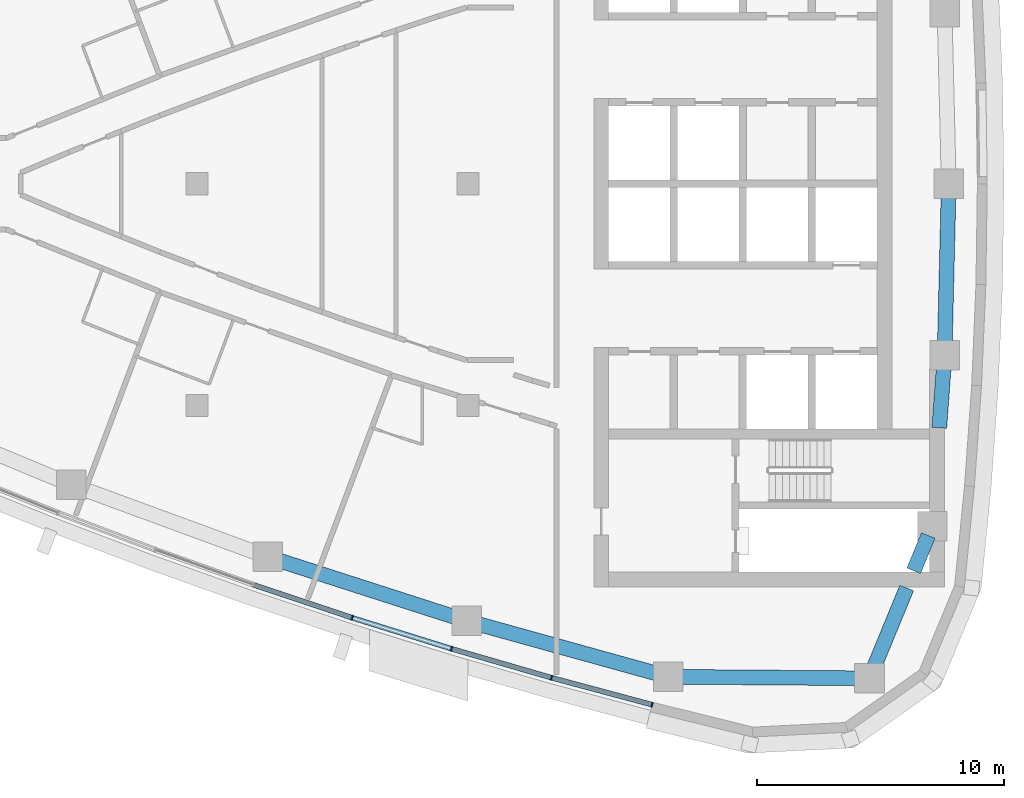
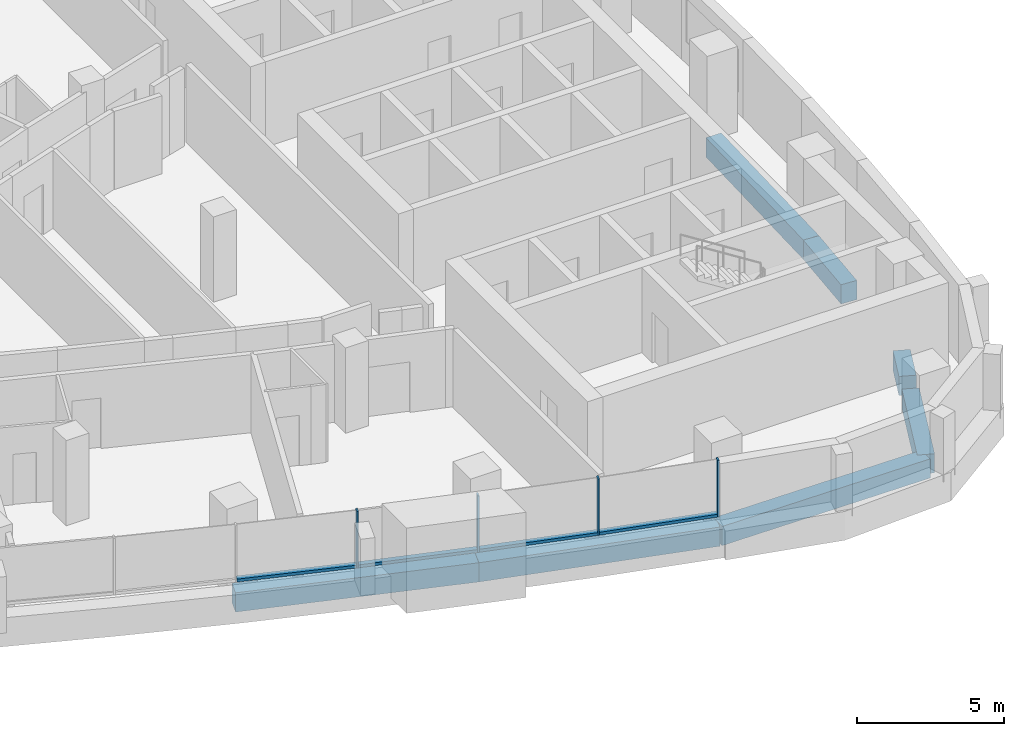
# One storey, part 4 of 15: 8 members, 7 beams, 2 elements without a shape of their own.
"""IFC4 building model written with IfcOpenShell, lengths in metres."""

from ifc_helpers import new_model, si_unit, direction, frame, origin, origin_2d, place, context, subcontext, project, spatial, rectangle, extrude, material, layer, layer_set, material_profile, profile_set, type_object, element, aggregate, save


model = new_model("IFC4")

# Units and contexts
model_context = context("Model", 3, precision=1e-05, world=origin(), true_north=direction((0.0, 1.0)))
body_context = subcontext(model_context, "Body", "Model", "MODEL_VIEW")
ifc_project = project(units=[si_unit("LENGTHUNIT", "METRE"), si_unit("AREAUNIT", "SQUARE_METRE"), si_unit("VOLUMEUNIT", "CUBIC_METRE"), si_unit("PLANEANGLEUNIT", "RADIAN"), si_unit("MASSUNIT", "GRAM", prefix="KILO")], contexts=[model_context])

# Site, building, storey
site_placement = place(None, origin())
site = spatial("IfcSite", under=ifc_project, at=site_placement, CompositionType="ELEMENT")
building_placement = place(site_placement, origin())
building = spatial("IfcBuilding", under=site, at=building_placement, Name="Ostrand Prow Hotel Tower", CompositionType="ELEMENT")
storey_placement = place(building_placement, frame((0.0, 0.0, 235.0)))
storey = spatial("IfcBuildingStorey", under=building, at=storey_placement, Name="L59", CompositionType="ELEMENT", Elevation=235.0)

# Beams
ifc_material_1 = material(Name="Concrete C50/60", Category="concrete")
ifc_material_profile_1 = material_profile(ifc_material_1, rectangle(XDim=0.60009765625, YDim=0.800048828125, at=origin_2d()), Name="RC 600x800")
ifc_profile_set_1 = profile_set([ifc_material_profile_1], Name="Concrete C50/60")
beam_type = type_object("IfcBeamType", Name="Edge beam 600x800 C50/60", PredefinedType="SPANDREL", material=ifc_profile_set_1)
for number, where, z_axis, x_axis, name in (
    (1, (36.8671875, -15.131591796875, -0.699951171875), (0.95193933362, -0.306286638798, 0.0), (0.306286638798, 0.95193933362, 0.0), "Edge beam S4-S5"),
    (2, (44.94677734375, -17.731201171875, -0.699951171875), (0.963625802813, -0.267255144297, 0.0), (0.267255144297, 0.963625802813, 0.0), "Edge beam S5-S6"),
):
    element("IfcBeam", number, at=place(storey_placement, frame(where, z_axis=z_axis, x_axis=x_axis)), inside=storey, type_object=beam_type, Name=name, PredefinedType="SPANDREL", context=body_context, shape_type="SweptSolid", body=[
        extrude(rectangle(XDim=0.60009765625, YDim=0.800048828125, at=origin_2d()), origin(), (0.0, 0.0, 1.0), 8.487548828125),
    ])
beam_1_placement = place(storey_placement, frame((53.12548828125, -19.99951171875, -0.699951171875), z_axis=(0.999970657582, -0.007660546678, 0.0), x_axis=(0.007660546678, 0.999970657582, 0.0)))
element("IfcBeam", 3, at=beam_1_placement, inside=storey, type_object=beam_type, Name="Edge beam S6-SE", PredefinedType="SPANDREL", context=body_context, shape_type="SweptSolid", body=[
    extrude(rectangle(XDim=0.60009765625, YDim=0.800048828125, at=origin_2d()), origin(), (0.0, 0.0, 1.0), 8.15869140625),
])
beam_2_placement = place(storey_placement, frame((61.283935546875, -20.06201171875, -0.699951171875), z_axis=(0.380777709221, 0.924666608114, 0.0), x_axis=(-0.924666608114, 0.380777709221, 0.0)))
element("IfcBeam", 4, at=beam_2_placement, inside=storey, type_object=beam_type, Name="Edge beam SE-B1", PredefinedType="SPANDREL", context=body_context, shape_type="SweptSolid", body=[
    extrude(rectangle(XDim=0.60009765625, YDim=0.800048828125, at=origin_2d()), origin(), (0.0, 0.0, 1.0), 3.96044921875),
])
beam_3_placement = place(storey_placement, frame((63.080078125, -15.699951171875, -0.699951171875), z_axis=(0.380773585759, 0.924668306145, 0.0), x_axis=(-0.924668306145, 0.380773585759, 0.0)))
element("IfcBeam", 5, at=beam_3_placement, inside=storey, type_object=beam_type, Name="Edge beam SE-B1", PredefinedType="SPANDREL", context=body_context, shape_type="SweptSolid", body=[
    extrude(rectangle(XDim=0.60009765625, YDim=0.800048828125, at=origin_2d()), origin(), (0.0, 0.0, 1.0), 1.549072265625),
])
beam_4_placement = place(storey_placement, frame((64.11669921875, -9.89990234375, -0.699951171875), z_axis=(0.072691068771, 0.997354504938, 0.0), x_axis=(-0.997354504938, 0.072691068771, 0.0)))
element("IfcBeam", 6, at=beam_4_placement, inside=storey, type_object=beam_type, Name="Edge beam B1-B2", PredefinedType="SPANDREL", context=body_context, shape_type="SweptSolid", body=[
    extrude(rectangle(XDim=0.60009765625, YDim=0.800048828125, at=origin_2d()), origin(), (0.0, 0.0, 1.0), 2.95556640625),
])
beam_5_placement = place(storey_placement, frame((64.33154296875, -6.9521484375, -0.699951171875), z_axis=(0.024223820991, 0.999706560195, 0.0), x_axis=(-0.999706560195, 0.024223820991, 0.0)))
element("IfcBeam", 7, at=beam_5_placement, inside=storey, type_object=beam_type, Name="Edge beam B2-B3", PredefinedType="SPANDREL", context=body_context, shape_type="SweptSolid", body=[
    extrude(rectangle(XDim=0.60009765625, YDim=0.800048828125, at=origin_2d()), origin(), (0.0, 0.0, 1.0), 6.9541015625),
])

# Curtain wall, members
ifc_material_2 = material(Name="Insulated glass in bronze anodised frame", Category="glass")
ifc_layer = layer(ifc_material_2, 0.199951171875)
ifc_layer_set = layer_set([ifc_layer], Name="Insulated glass in bronze anodised frame")
curtain_wall_type = type_object("IfcCurtainWallType", Name="Strip curtain wall, fritted glass over bronze spandrel", PredefinedType="NOTDEFINED", material=ifc_layer_set)
curtain_wall_1_placement = place(storey_placement, origin())
curtain_wall_1 = element("IfcCurtainWall", 8, at=curtain_wall_1_placement, inside=storey, type_object=curtain_wall_type, Name="CW1 run CWS4", PredefinedType="NOTDEFINED")
ifc_material_3 = material(Name="Bronze anodised aluminium", Category="aluminium")
ifc_material_profile_2 = material_profile(ifc_material_3, rectangle(XDim=0.199951171875, YDim=0.06005859375, at=origin_2d()), Name="Mullion 60x200 bronze anodised aluminium")
ifc_profile_set_2 = profile_set([ifc_material_profile_2], Name="Bronze anodised aluminium")
member_type_1 = type_object("IfcMemberType", Name="Mullion 60x200 bronze anodised aluminium", PredefinedType="MULLION", material=ifc_profile_set_2)
member_1_placement = place(storey_placement, frame((40.297119140625, -17.605712890625, 0.89990234375), z_axis=(0.0, 0.0, 1.0), x_axis=(0.297678138765, 0.95466629023, 0.0)))
member_1 = element("IfcMember", 9, at=member_1_placement, type_object=member_type_1, Name="CW1 mullion 2", PredefinedType="MULLION", context=body_context, shape_type="SweptSolid", body=[
    extrude(rectangle(XDim=0.199951171875, YDim=0.06005859375, at=origin_2d()), origin(), (0.0, 0.0, 1.0), 2.35009765625),
])
member_2_placement = place(storey_placement, frame((44.3291015625, -18.863037109375, 0.89990234375), z_axis=(0.0, 0.0, 1.0), x_axis=(0.297678138765, 0.95466629023, 0.0)))
member_2 = element("IfcMember", 10, at=member_2_placement, type_object=member_type_1, Name="CW1 mullion 3", PredefinedType="MULLION", context=body_context, shape_type="SweptSolid", body=[
    extrude(rectangle(XDim=0.199951171875, YDim=0.06005859375, at=origin_2d()), origin(), (0.0, 0.0, 1.0), 2.35009765625),
])

curtain_wall_2_placement = place(storey_placement, origin())
curtain_wall_2 = element("IfcCurtainWall", 11, at=curtain_wall_2_placement, inside=storey, type_object=curtain_wall_type, Name="CW1 run CWS5", PredefinedType="NOTDEFINED")
member_3_placement = place(storey_placement, frame((48.385986328125, -20.038818359375, 0.89990234375), z_axis=(0.0, 0.0, 1.0), x_axis=(0.258994370132, 0.965878831034, 0.0)))
member_3 = element("IfcMember", 12, at=member_3_placement, type_object=member_type_1, Name="CW1 mullion 2", PredefinedType="MULLION", context=body_context, shape_type="SweptSolid", body=[
    extrude(rectangle(XDim=0.199951171875, YDim=0.06005859375, at=origin_2d()), origin(), (0.0, 0.0, 1.0), 2.35009765625),
])
member_4_placement = place(storey_placement, frame((52.465576171875, -21.1328125, 0.89990234375), z_axis=(0.0, 0.0, 1.0), x_axis=(0.258994370132, 0.965878831034, 0.0)))
member_4 = element("IfcMember", 13, at=member_4_placement, type_object=member_type_1, Name="CW1 mullion 3", PredefinedType="MULLION", context=body_context, shape_type="SweptSolid", body=[
    extrude(rectangle(XDim=0.199951171875, YDim=0.06005859375, at=origin_2d()), origin(), (0.0, 0.0, 1.0), 2.35009765625),
])

# Member
ifc_material_4 = material(Name="Bronze anodised aluminium", Category="aluminium")
ifc_material_profile_3 = material_profile(ifc_material_4, rectangle(XDim=0.199951171875, YDim=0.1201171875, at=origin_2d()), Name="Transom 120x200 bronze anodised aluminium")
ifc_profile_set_3 = profile_set([ifc_material_profile_3], Name="Bronze anodised aluminium")
member_type_2 = type_object("IfcMemberType", Name="Transom 120x200 bronze anodised aluminium", PredefinedType="USERDEFINED", material=ifc_profile_set_3)
member_5_placement = place(storey_placement, frame((36.3193359375, -16.277099609375, 0.9599609375), z_axis=(0.948489622939, -0.316808199353, 0.0), x_axis=(0.316808199353, 0.948489622939, 0.0)))
member_5 = element("IfcMember", 14, at=member_5_placement, type_object=member_type_2, Name="CW1 transom 1.1", ObjectType="TRANSOM", PredefinedType="USERDEFINED", context=body_context, shape_type="SweptSolid", body=[
    extrude(rectangle(XDim=0.199951171875, YDim=0.1201171875, at=origin_2d()), origin(), (0.0, 0.0, 1.0), 4.16357421875),
])

member_6_placement = place(storey_placement, frame((40.32568359375, -17.61474609375, 0.9599609375), z_axis=(0.954676966691, -0.297643896746, 0.0), x_axis=(0.297643896746, 0.954676966691, 0.0)))
member_6 = element("IfcMember", 15, at=member_6_placement, type_object=member_type_2, Name="CW1 transom 2.1", ObjectType="TRANSOM", PredefinedType="USERDEFINED", context=body_context, shape_type="SweptSolid", body=[
    extrude(rectangle(XDim=0.199951171875, YDim=0.1201171875, at=origin_2d()), origin(), (0.0, 0.0, 1.0), 4.16357421875),
])

aggregate(curtain_wall_1, [member_1, member_2, member_5, member_6])

member_7_placement = place(storey_placement, frame((44.35791015625, -18.871337890625, 0.9599609375), z_axis=(0.960468183791, -0.278389776976, 0.0), x_axis=(0.278389776976, 0.960468183791, 0.0)))
member_7 = element("IfcMember", 16, at=member_7_placement, type_object=member_type_2, Name="CW1 transom 1.1", ObjectType="TRANSOM", PredefinedType="USERDEFINED", context=body_context, shape_type="SweptSolid", body=[
    extrude(rectangle(XDim=0.199951171875, YDim=0.1201171875, at=origin_2d()), origin(), (0.0, 0.0, 1.0), 4.163818359375),
])

member_8_placement = place(storey_placement, frame((48.4150390625, -20.046630859375, 0.9599609375), z_axis=(0.96587683346, -0.259001819657, 0.0), x_axis=(0.259001819657, 0.96587683346, 0.0)))
member_8 = element("IfcMember", 17, at=member_8_placement, type_object=member_type_2, Name="CW1 transom 2.1", ObjectType="TRANSOM", PredefinedType="USERDEFINED", context=body_context, shape_type="SweptSolid", body=[
    extrude(rectangle(XDim=0.199951171875, YDim=0.1201171875, at=origin_2d()), origin(), (0.0, 0.0, 1.0), 4.16357421875),
])

aggregate(curtain_wall_2, [member_3, member_4, member_7, member_8])

save(model, "model.ifc")
